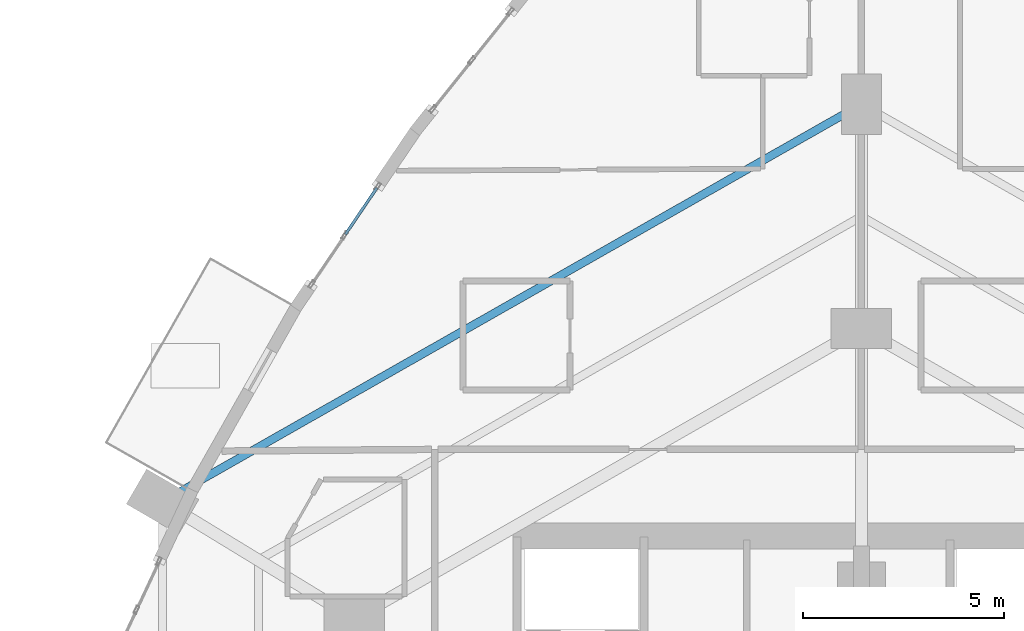
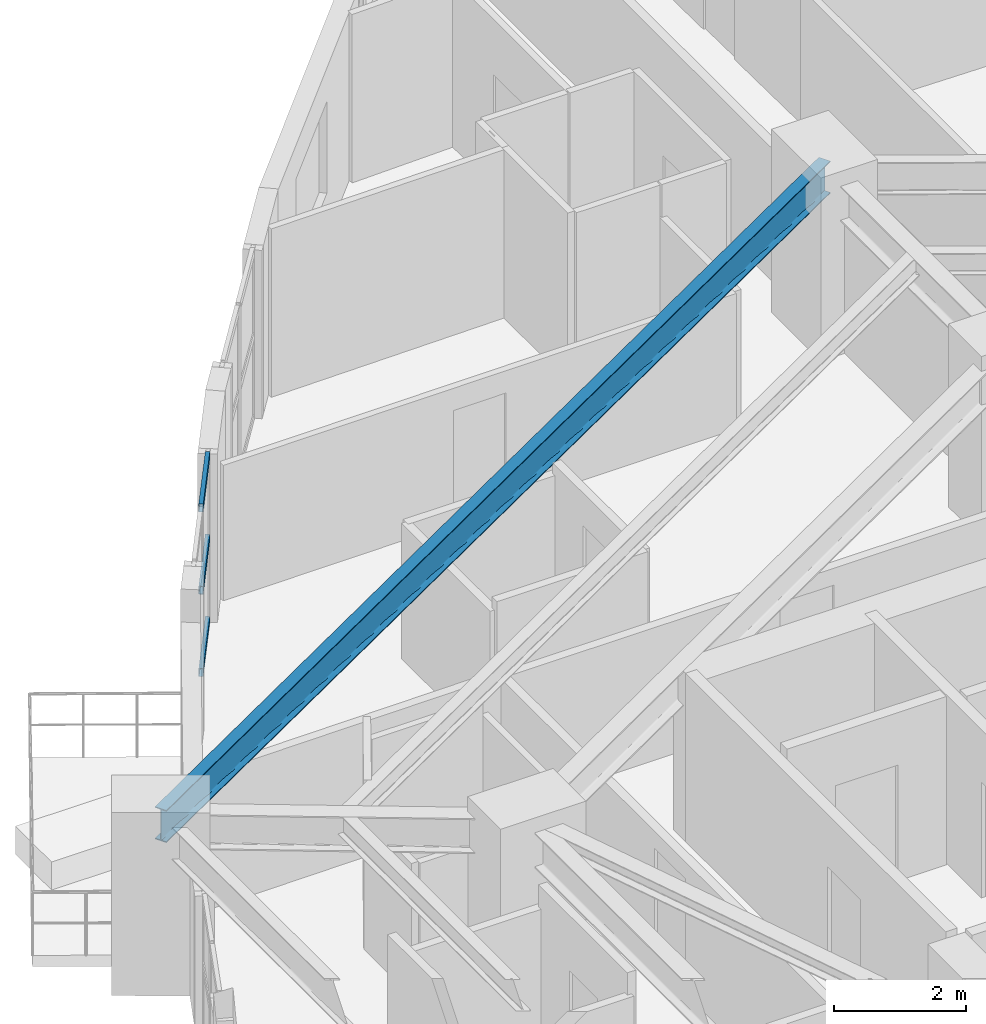
# One storey, part 5 of 17: 3 members, 1 beam, 1 element without a shape of its own.
"""IFC4 building model written with IfcOpenShell, lengths in metres."""

import ifcopenshell
import ifcopenshell.guid

model = None  # the IFC model being written
_history = None  # IfcOwnerHistory: only IFC2X3 demands one
_inside = {}  # id of a spatial element -> (the spatial element, [elements in it])
_under = {}  # id of a project, library or spatial element -> (it, [spatial elements below it])
_declared = {}  # id of a project -> (the project, [libraries it declares])
_typed = {}  # id of a type object -> (the type object, [elements of that type])
_made_of = {}  # id of a material, layer set ... -> (it, [elements and type objects made of it])


def new_model(schema):
    """Start an empty IFC model of exactly this schema.

    Asked for "IFC4X3", IfcOpenShell would pick the latest addendum, in which some entities
    have other attributes; the version numbers below select the first issue.
    IFC2X3 requires an IfcOwnerHistory on every rooted entity: one is made here for all.
    """
    global model, _history
    if schema == "IFC4X3":
        model = ifcopenshell.file(schema_version=(4, 3, 0, 0))
    else:
        model = ifcopenshell.file(schema=schema)
    _inside.clear()
    _under.clear()
    _declared.clear()
    _typed.clear()
    _made_of.clear()
    _history = None
    if model.schema == "IFC2X3":
        org = make("IfcOrganization", Name="unknown")
        user = make(
            "IfcPersonAndOrganization",
            ThePerson=make("IfcPerson", FamilyName="unknown"),
            TheOrganization=org,
        )
        app = make(
            "IfcApplication",
            ApplicationDeveloper=org,
            Version="unknown",
            ApplicationFullName="unknown",
            ApplicationIdentifier="unknown",
        )
        _history = make(
            "IfcOwnerHistory",
            OwningUser=user,
            OwningApplication=app,
            ChangeAction="ADDED",
            CreationDate=0,
        )
    return model


def make(cls, **values):
    """One entity of the class cls with the attributes given. An attribute that is None is left unset."""
    return model.create_entity(
        cls, **{name: value for name, value in values.items() if value is not None}
    )


def rooted(cls, **values):
    """An entity with a GlobalId (a new one), such as an element, a storey or a relation."""
    return make(cls, GlobalId=ifcopenshell.guid.new(), OwnerHistory=_history, **values)


def si_unit(unit_type, name, prefix=None):
    """IfcSIUnit, for example si_unit("LENGTHUNIT", "METRE", prefix="MILLI")."""
    return make("IfcSIUnit", UnitType=unit_type, Prefix=prefix, Name=name)


def assignment(units):
    """IfcUnitAssignment: the units of a project."""
    return None if units is None else make("IfcUnitAssignment", Units=units)


def point(xyz):
    """IfcCartesianPoint."""
    return None if xyz is None else make("IfcCartesianPoint", Coordinates=xyz)


def direction(xyz):
    """IfcDirection."""
    return None if xyz is None else make("IfcDirection", DirectionRatios=xyz)


def frame(location, z_axis=None, x_axis=None):
    """IfcAxis2Placement3D, a coordinate frame: its origin and axes. An axis left out is left unset."""
    return make(
        "IfcAxis2Placement3D",
        Location=point(location),
        Axis=direction(z_axis),
        RefDirection=direction(x_axis),
    )


def frame_2d(location, x_axis=None):
    """IfcAxis2Placement2D, a coordinate frame in the plane: its origin and x axis."""
    return make(
        "IfcAxis2Placement2D", Location=point(location), RefDirection=direction(x_axis)
    )


def origin():
    """The frame at (0, 0, 0) with its axes left unset."""
    return frame((0.0, 0.0, 0.0))


def origin_2d():
    """The frame at (0, 0) in the plane with its x axis left unset."""
    return frame_2d((0.0, 0.0))


def place(relative_to, where):
    """IfcLocalPlacement: puts the frame where relative to a parent placement (None: the world)."""
    return make(
        "IfcLocalPlacement", PlacementRelTo=relative_to, RelativePlacement=where
    )


def context(
    kind, dimensions, precision=None, world=None, true_north=None, identifier=None
):
    """IfcGeometricRepresentationContext, for example the 3D "Model" context."""
    return make(
        "IfcGeometricRepresentationContext",
        ContextIdentifier=identifier,
        ContextType=kind,
        CoordinateSpaceDimension=dimensions,
        Precision=precision,
        WorldCoordinateSystem=world,
        TrueNorth=true_north,
    )


def subcontext(parent, identifier, kind, view, scale=None):
    """IfcGeometricRepresentationSubContext, for example "Body" below "Model"."""
    return make(
        "IfcGeometricRepresentationSubContext",
        ContextIdentifier=identifier,
        ContextType=kind,
        ParentContext=parent,
        TargetScale=scale,
        TargetView=view,
    )


def project(units=None, contexts=None):
    """IfcProject with its units and contexts."""
    return rooted(
        "IfcProject",
        Name="project",
        RepresentationContexts=contexts,
        UnitsInContext=assignment(units),
    )


def spatial(cls, under=None, at=None, **own):
    """A site, building, storey or space (cls), placed at a placement, below another one or the project."""
    s = rooted(cls, ObjectPlacement=at, **own)
    if under is not None:
        _under.setdefault(under.id(), (under, []))[1].append(s)
    return s


def profile(cls, at=None, kind="AREA", **sizes):
    """A parametric profile (cls). Its sizes go by their IFC names, for example OverallWidth=200.0."""
    return make(cls, ProfileType=kind, Position=at, **sizes)


def hollow_rectangle(**sizes):
    """IfcRectangleHollowProfileDef."""
    return profile("IfcRectangleHollowProfileDef", **sizes)


def i_section(**sizes):
    """IfcIShapeProfileDef."""
    return profile("IfcIShapeProfileDef", **sizes)


def extrude(swept, where, along, depth):
    """IfcExtrudedAreaSolid: the profile swept, set in the frame where, extruded along a direction by depth."""
    return make(
        "IfcExtrudedAreaSolid",
        SweptArea=swept,
        Position=where,
        ExtrudedDirection=direction(along),
        Depth=depth,
    )


def shape(context_of_items, identifier, shape_type, items):
    """IfcShapeRepresentation: the items that make up one representation, for example the "Body"."""
    return make(
        "IfcShapeRepresentation",
        ContextOfItems=context_of_items,
        RepresentationIdentifier=identifier,
        RepresentationType=shape_type,
        Items=items,
    )


def material(Name=None, Category=None):
    """IfcMaterial."""
    return make("IfcMaterial", Name=Name, Category=Category)


def layer(
    of_material, thickness, ventilated=None, Name=None, Category=None, Priority=None
):
    """IfcMaterialLayer: one layer of a wall or slab, of a material (None: an air gap)."""
    return make(
        "IfcMaterialLayer",
        Material=of_material,
        LayerThickness=thickness,
        IsVentilated=ventilated,
        Name=Name,
        Category=Category,
        Priority=Priority,
    )


def layer_set(layers, Name=None):
    """IfcMaterialLayerSet."""
    return make("IfcMaterialLayerSet", MaterialLayers=layers, LayerSetName=Name)


def material_profile(
    of_material, cross_section, Name=None, Category=None, Priority=None
):
    """IfcMaterialProfile: a cross section and its material."""
    return make(
        "IfcMaterialProfile",
        Name=Name,
        Material=of_material,
        Profile=cross_section,
        Priority=Priority,
        Category=Category,
    )


def profile_set(profiles, Name=None, composite=None):
    """IfcMaterialProfileSet."""
    return make(
        "IfcMaterialProfileSet",
        Name=Name,
        MaterialProfiles=profiles,
        CompositeProfile=composite,
    )


def made_of(thing, what):
    """Note that an element or type object is made of a material, layer set ...; save() writes the relation."""
    if what is not None:
        _made_of.setdefault(what.id(), (what, []))[1].append(thing)
    return thing


def type_object(cls, material=None, **own):
    """A type object (cls), such as IfcWallType, which elements share."""
    return made_of(rooted(cls, **own), material)


def element(
    cls,
    number,
    at=None,
    inside=None,
    cuts=None,
    type_object=None,
    material=None,
    context=None,
    identifier="Body",
    shape_type=None,
    held_by="IfcProductDefinitionShape",
    body=None,
    shapes=None,
    **own,
):
    """One element of the class cls, such as IfcWall. Its Tag is "e" and its number.

    at: its placement. inside: the storey or other place that contains it. cuts: it is an
    opening in that element (IfcRelVoidsElement). A single representation is given by context,
    identifier, shape_type and body (its items); several are given by shapes. held_by: the class
    of the entity that holds the representations. save() writes the other relations.
    """
    e = rooted(cls, Tag="e%d" % number, ObjectPlacement=at, **own)
    if body is not None:
        shapes = [shape(context, identifier, shape_type, body)]
    if shapes is not None:
        e.Representation = make(held_by, Representations=shapes)
    if inside is not None:
        _inside.setdefault(inside.id(), (inside, []))[1].append(e)
    if cuts is not None:
        rooted(
            "IfcRelVoidsElement", RelatingBuildingElement=cuts, RelatedOpeningElement=e
        )
    if type_object is not None:
        _typed.setdefault(type_object.id(), (type_object, []))[1].append(e)
    return made_of(e, material)


def aggregate(whole, parts):
    """IfcRelAggregates: a whole, such as a stair, and the parts it consists of."""
    return rooted("IfcRelAggregates", RelatingObject=whole, RelatedObjects=parts)


def save(model, path):
    """Write the relations noted so far, then the file.

    IfcRelAggregates (storeys below a building ...), IfcRelContainedInSpatialStructure (elements
    in a storey), IfcRelDefinesByType, IfcRelAssociatesMaterial and IfcRelDeclares: one each for
    every whole, place, type object, material and project.
    """
    for whole, parts in _under.values():
        aggregate(whole, parts)
    for where, things in _inside.values():
        rooted(
            "IfcRelContainedInSpatialStructure",
            RelatedElements=things,
            RelatingStructure=where,
        )
    for kind, things in _typed.values():
        rooted("IfcRelDefinesByType", RelatedObjects=things, RelatingType=kind)
    for what, things in _made_of.values():
        rooted("IfcRelAssociatesMaterial", RelatedObjects=things, RelatingMaterial=what)
    for by, libraries in _declared.values():
        rooted("IfcRelDeclares", RelatingContext=by, RelatedDefinitions=libraries)
    model.write(path)


model = new_model("IFC4")

# Units and contexts
model_context = context("Model", 3, precision=1e-05, world=origin(), true_north=direction((0.0, 1.0)))
body_context = subcontext(model_context, "Body", "Model", "MODEL_VIEW")
ifc_project = project(units=[si_unit("LENGTHUNIT", "METRE"), si_unit("AREAUNIT", "SQUARE_METRE"), si_unit("VOLUMEUNIT", "CUBIC_METRE"), si_unit("PLANEANGLEUNIT", "RADIAN"), si_unit("MASSUNIT", "GRAM", prefix="KILO")], contexts=[model_context])

# Site, building, storey
site_placement = place(None, origin())
site = spatial("IfcSite", under=ifc_project, at=site_placement, CompositionType="ELEMENT")
building_placement = place(site_placement, origin())
building = spatial("IfcBuilding", under=site, at=building_placement, Name="Miruveldt Soraemaru", CompositionType="ELEMENT")
storey_placement = place(building_placement, frame((0.0, 0.0, 53.0)))
storey = spatial("IfcBuildingStorey", under=building, at=storey_placement, Name="L14", CompositionType="ELEMENT", Elevation=53.0)

# Beam
ifc_material_1 = material(Name="Steel SM355 (355 MPa)", Category="steel")
ifc_material_profile_1 = material_profile(ifc_material_1, i_section(OverallWidth=0.199951171875, OverallDepth=0.60009765625, WebThickness=0.010986328125, FlangeThickness=0.01708984375, FilletRadius=0.02197265625, at=origin_2d()), Name="Steel SM355 (355 MPa)", Category="steel")
ifc_profile_set_1 = profile_set([ifc_material_profile_1], Name="Steel SM355 (355 MPa)")
beam_type = type_object("IfcBeamType", Name="BM-ST-H600", PredefinedType="SPANDREL", material=ifc_profile_set_1)
beam_placement = place(storey_placement, frame((26.64404296875, 53.300048828125, 2.824951171875), z_axis=(0.869314947608, 0.494258557706, 0.0), x_axis=(-0.494258557706, 0.869314947608, 0.0)))
element("IfcBeam", 1, at=beam_placement, inside=storey, type_object=beam_type, Name="L14 Zone-1 Spandrel Beam 6", PredefinedType="SPANDREL", context=body_context, shape_type="SweptSolid", body=[
    extrude(i_section(OverallWidth=0.199951171875, OverallDepth=0.60009765625, WebThickness=0.010986328125, FlangeThickness=0.01708984375, FilletRadius=0.02197265625, at=origin_2d()), origin(), (0.0, 0.0, 1.0), 19.965087890625),
])

# Curtain wall, members
ifc_material_2 = material(Name="Anodised aluminium EN AW-6063 T6", Category="aluminium")
ifc_layer = layer(ifc_material_2, 0.199951171875, Name="Anodised aluminium EN AW-6063 T6", Category="aluminium")
ifc_layer_set = layer_set([ifc_layer], Name="Anodised aluminium EN AW-6063 T6")
curtain_wall_type = type_object("IfcCurtainWallType", Name="CW-SYS-3", PredefinedType="USERDEFINED", material=ifc_layer_set)
curtain_wall_placement = place(storey_placement, origin())
curtain_wall = element("IfcCurtainWall", 2, at=curtain_wall_placement, inside=storey, type_object=curtain_wall_type, Name="L14 Curtain Wall Bay 9", ObjectType="UNITISED GLAZING", PredefinedType="USERDEFINED")
ifc_material_profile_2 = material_profile(ifc_material_2, hollow_rectangle(XDim=0.070068359375, YDim=0.14990234375, WallThickness=0.00390625, at=origin_2d()), Name="Anodised aluminium EN AW-6063 T6", Category="aluminium")
ifc_profile_set_2 = profile_set([ifc_material_profile_2], Name="Anodised aluminium EN AW-6063 T6")
member_type = type_object("IfcMemberType", Name="CWT-3", PredefinedType="USERDEFINED", material=ifc_profile_set_2)
member_1_placement = place(storey_placement, frame((31.96533203125, 61.09130859375, 0.034912109375), z_axis=(-0.56096460572, -0.827839785906, 0.0), x_axis=(0.827839785906, -0.56096460572, 0.0)))
member_1 = element("IfcMember", 3, at=member_1_placement, type_object=member_type, Name="CW-3 transom 1.1", ObjectType="TRANSOM", PredefinedType="USERDEFINED", context=body_context, shape_type="SweptSolid", body=[
    extrude(hollow_rectangle(XDim=0.070068359375, YDim=0.14990234375, WallThickness=0.00390625, at=origin_2d()), origin(), (0.0, 0.0, 1.0), 1.390625),
])
member_2_placement = place(storey_placement, frame((31.96533203125, 61.09130859375, 1.5625), z_axis=(-0.56096460572, -0.827839785906, 0.0), x_axis=(0.827839785906, -0.56096460572, 0.0)))
member_2 = element("IfcMember", 4, at=member_2_placement, type_object=member_type, Name="CW-3 transom 1.2", ObjectType="TRANSOM", PredefinedType="USERDEFINED", context=body_context, shape_type="SweptSolid", body=[
    extrude(hollow_rectangle(XDim=0.070068359375, YDim=0.14990234375, WallThickness=0.00390625, at=origin_2d()), origin(), (0.0, 0.0, 1.0), 1.390625),
])
member_3_placement = place(storey_placement, frame((31.96533203125, 61.09130859375, 3.090087890625), z_axis=(-0.56096460572, -0.827839785906, 0.0), x_axis=(0.827839785906, -0.56096460572, 0.0)))
member_3 = element("IfcMember", 5, at=member_3_placement, type_object=member_type, Name="CW-3 transom 1.3", ObjectType="TRANSOM", PredefinedType="USERDEFINED", context=body_context, shape_type="SweptSolid", body=[
    extrude(hollow_rectangle(XDim=0.070068359375, YDim=0.14990234375, WallThickness=0.00390625, at=origin_2d()), origin(), (0.0, 0.0, 1.0), 1.390625),
])
aggregate(curtain_wall, [member_1, member_2, member_3])

save(model, "model.ifc")
